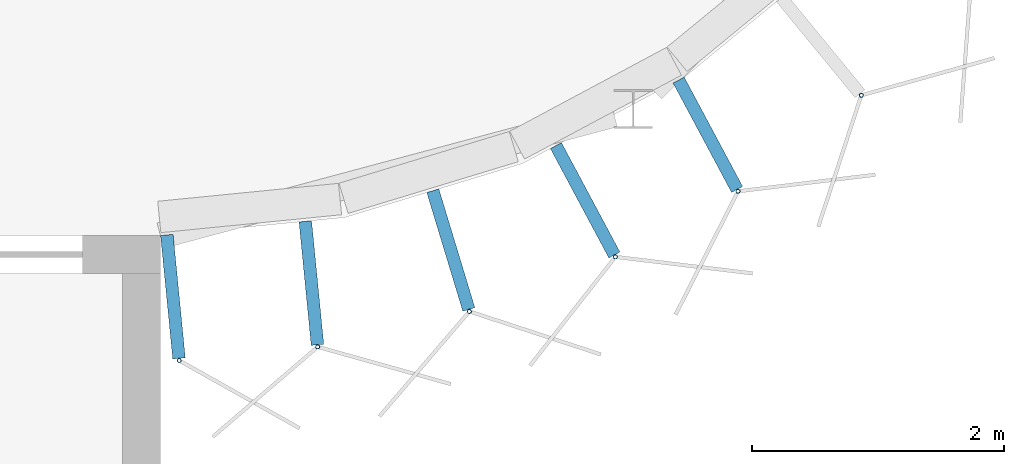
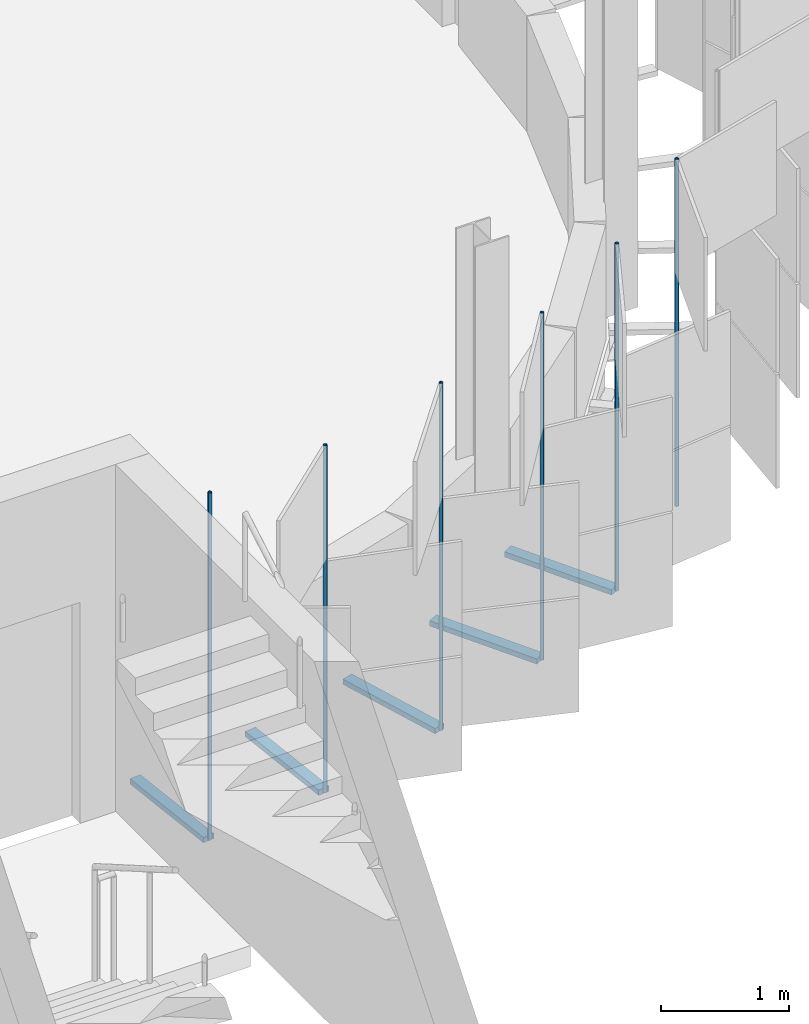
# One storey, part 88 of 198: 11 discrete accessories.
"""IFC4 building model written with IfcOpenShell, lengths in metres."""

import ifcopenshell
import ifcopenshell.guid

model = None  # the IFC model being written
_history = None  # IfcOwnerHistory: only IFC2X3 demands one
_inside = {}  # id of a spatial element -> (the spatial element, [elements in it])
_under = {}  # id of a project, library or spatial element -> (it, [spatial elements below it])
_declared = {}  # id of a project -> (the project, [libraries it declares])
_typed = {}  # id of a type object -> (the type object, [elements of that type])
_made_of = {}  # id of a material, layer set ... -> (it, [elements and type objects made of it])


def new_model(schema):
    """Start an empty IFC model of exactly this schema.

    Asked for "IFC4X3", IfcOpenShell would pick the latest addendum, in which some entities
    have other attributes; the version numbers below select the first issue.
    IFC2X3 requires an IfcOwnerHistory on every rooted entity: one is made here for all.
    """
    global model, _history
    if schema == "IFC4X3":
        model = ifcopenshell.file(schema_version=(4, 3, 0, 0))
    else:
        model = ifcopenshell.file(schema=schema)
    _inside.clear()
    _under.clear()
    _declared.clear()
    _typed.clear()
    _made_of.clear()
    _history = None
    if model.schema == "IFC2X3":
        org = make("IfcOrganization", Name="unknown")
        user = make(
            "IfcPersonAndOrganization",
            ThePerson=make("IfcPerson", FamilyName="unknown"),
            TheOrganization=org,
        )
        app = make(
            "IfcApplication",
            ApplicationDeveloper=org,
            Version="unknown",
            ApplicationFullName="unknown",
            ApplicationIdentifier="unknown",
        )
        _history = make(
            "IfcOwnerHistory",
            OwningUser=user,
            OwningApplication=app,
            ChangeAction="ADDED",
            CreationDate=0,
        )
    return model


def make(cls, **values):
    """One entity of the class cls with the attributes given. An attribute that is None is left unset."""
    return model.create_entity(
        cls, **{name: value for name, value in values.items() if value is not None}
    )


def rooted(cls, **values):
    """An entity with a GlobalId (a new one), such as an element, a storey or a relation."""
    return make(cls, GlobalId=ifcopenshell.guid.new(), OwnerHistory=_history, **values)


def si_unit(unit_type, name, prefix=None):
    """IfcSIUnit, for example si_unit("LENGTHUNIT", "METRE", prefix="MILLI")."""
    return make("IfcSIUnit", UnitType=unit_type, Prefix=prefix, Name=name)


def assignment(units):
    """IfcUnitAssignment: the units of a project."""
    return None if units is None else make("IfcUnitAssignment", Units=units)


def point(xyz):
    """IfcCartesianPoint."""
    return None if xyz is None else make("IfcCartesianPoint", Coordinates=xyz)


def direction(xyz):
    """IfcDirection."""
    return None if xyz is None else make("IfcDirection", DirectionRatios=xyz)


def frame(location, z_axis=None, x_axis=None):
    """IfcAxis2Placement3D, a coordinate frame: its origin and axes. An axis left out is left unset."""
    return make(
        "IfcAxis2Placement3D",
        Location=point(location),
        Axis=direction(z_axis),
        RefDirection=direction(x_axis),
    )


def frame_2d(location, x_axis=None):
    """IfcAxis2Placement2D, a coordinate frame in the plane: its origin and x axis."""
    return make(
        "IfcAxis2Placement2D", Location=point(location), RefDirection=direction(x_axis)
    )


def origin():
    """The frame at (0, 0, 0) with its axes left unset."""
    return frame((0.0, 0.0, 0.0))


def origin_2d():
    """The frame at (0, 0) in the plane with its x axis left unset."""
    return frame_2d((0.0, 0.0))


def place(relative_to, where):
    """IfcLocalPlacement: puts the frame where relative to a parent placement (None: the world)."""
    return make(
        "IfcLocalPlacement", PlacementRelTo=relative_to, RelativePlacement=where
    )


def context(
    kind, dimensions, precision=None, world=None, true_north=None, identifier=None
):
    """IfcGeometricRepresentationContext, for example the 3D "Model" context."""
    return make(
        "IfcGeometricRepresentationContext",
        ContextIdentifier=identifier,
        ContextType=kind,
        CoordinateSpaceDimension=dimensions,
        Precision=precision,
        WorldCoordinateSystem=world,
        TrueNorth=true_north,
    )


def subcontext(parent, identifier, kind, view, scale=None):
    """IfcGeometricRepresentationSubContext, for example "Body" below "Model"."""
    return make(
        "IfcGeometricRepresentationSubContext",
        ContextIdentifier=identifier,
        ContextType=kind,
        ParentContext=parent,
        TargetScale=scale,
        TargetView=view,
    )


def project(units=None, contexts=None):
    """IfcProject with its units and contexts."""
    return rooted(
        "IfcProject",
        Name="project",
        RepresentationContexts=contexts,
        UnitsInContext=assignment(units),
    )


def spatial(cls, under=None, at=None, **own):
    """A site, building, storey or space (cls), placed at a placement, below another one or the project."""
    s = rooted(cls, ObjectPlacement=at, **own)
    if under is not None:
        _under.setdefault(under.id(), (under, []))[1].append(s)
    return s


def profile(cls, at=None, kind="AREA", **sizes):
    """A parametric profile (cls). Its sizes go by their IFC names, for example OverallWidth=200.0."""
    return make(cls, ProfileType=kind, Position=at, **sizes)


def rectangle(**sizes):
    """IfcRectangleProfileDef."""
    return profile("IfcRectangleProfileDef", **sizes)


def hollow_circle(**sizes):
    """IfcCircleHollowProfileDef."""
    return profile("IfcCircleHollowProfileDef", **sizes)


def extrude(swept, where, along, depth):
    """IfcExtrudedAreaSolid: the profile swept, set in the frame where, extruded along a direction by depth."""
    return make(
        "IfcExtrudedAreaSolid",
        SweptArea=swept,
        Position=where,
        ExtrudedDirection=direction(along),
        Depth=depth,
    )


def shape(context_of_items, identifier, shape_type, items):
    """IfcShapeRepresentation: the items that make up one representation, for example the "Body"."""
    return make(
        "IfcShapeRepresentation",
        ContextOfItems=context_of_items,
        RepresentationIdentifier=identifier,
        RepresentationType=shape_type,
        Items=items,
    )


def material(Name=None, Category=None):
    """IfcMaterial."""
    return make("IfcMaterial", Name=Name, Category=Category)


def material_profile(
    of_material, cross_section, Name=None, Category=None, Priority=None
):
    """IfcMaterialProfile: a cross section and its material."""
    return make(
        "IfcMaterialProfile",
        Name=Name,
        Material=of_material,
        Profile=cross_section,
        Priority=Priority,
        Category=Category,
    )


def profile_set(profiles, Name=None, composite=None):
    """IfcMaterialProfileSet."""
    return make(
        "IfcMaterialProfileSet",
        Name=Name,
        MaterialProfiles=profiles,
        CompositeProfile=composite,
    )


def made_of(thing, what):
    """Note that an element or type object is made of a material, layer set ...; save() writes the relation."""
    if what is not None:
        _made_of.setdefault(what.id(), (what, []))[1].append(thing)
    return thing


def type_object(cls, material=None, **own):
    """A type object (cls), such as IfcWallType, which elements share."""
    return made_of(rooted(cls, **own), material)


def element(
    cls,
    number,
    at=None,
    inside=None,
    cuts=None,
    type_object=None,
    material=None,
    context=None,
    identifier="Body",
    shape_type=None,
    held_by="IfcProductDefinitionShape",
    body=None,
    shapes=None,
    **own,
):
    """One element of the class cls, such as IfcWall. Its Tag is "e" and its number.

    at: its placement. inside: the storey or other place that contains it. cuts: it is an
    opening in that element (IfcRelVoidsElement). A single representation is given by context,
    identifier, shape_type and body (its items); several are given by shapes. held_by: the class
    of the entity that holds the representations. save() writes the other relations.
    """
    e = rooted(cls, Tag="e%d" % number, ObjectPlacement=at, **own)
    if body is not None:
        shapes = [shape(context, identifier, shape_type, body)]
    if shapes is not None:
        e.Representation = make(held_by, Representations=shapes)
    if inside is not None:
        _inside.setdefault(inside.id(), (inside, []))[1].append(e)
    if cuts is not None:
        rooted(
            "IfcRelVoidsElement", RelatingBuildingElement=cuts, RelatedOpeningElement=e
        )
    if type_object is not None:
        _typed.setdefault(type_object.id(), (type_object, []))[1].append(e)
    return made_of(e, material)


def aggregate(whole, parts):
    """IfcRelAggregates: a whole, such as a stair, and the parts it consists of."""
    return rooted("IfcRelAggregates", RelatingObject=whole, RelatedObjects=parts)


def save(model, path):
    """Write the relations noted so far, then the file.

    IfcRelAggregates (storeys below a building ...), IfcRelContainedInSpatialStructure (elements
    in a storey), IfcRelDefinesByType, IfcRelAssociatesMaterial and IfcRelDeclares: one each for
    every whole, place, type object, material and project.
    """
    for whole, parts in _under.values():
        aggregate(whole, parts)
    for where, things in _inside.values():
        rooted(
            "IfcRelContainedInSpatialStructure",
            RelatedElements=things,
            RelatingStructure=where,
        )
    for kind, things in _typed.values():
        rooted("IfcRelDefinesByType", RelatedObjects=things, RelatingType=kind)
    for what, things in _made_of.values():
        rooted("IfcRelAssociatesMaterial", RelatedObjects=things, RelatingMaterial=what)
    for by, libraries in _declared.values():
        rooted("IfcRelDeclares", RelatingContext=by, RelatedDefinitions=libraries)
    model.write(path)


model = new_model("IFC4")

# Units and contexts
model_context = context("Model", 3, precision=1e-05, world=origin(), true_north=direction((0.0, 1.0)))
body_context = subcontext(model_context, "Body", "Model", "MODEL_VIEW")
ifc_project = project(units=[si_unit("LENGTHUNIT", "METRE"), si_unit("AREAUNIT", "SQUARE_METRE"), si_unit("VOLUMEUNIT", "CUBIC_METRE"), si_unit("PLANEANGLEUNIT", "RADIAN"), si_unit("MASSUNIT", "GRAM", prefix="KILO")], contexts=[model_context])

# Site, building, storey
site_placement = place(None, origin())
site = spatial("IfcSite", under=ifc_project, at=site_placement, CompositionType="ELEMENT")
building_placement = place(site_placement, origin())
building = spatial("IfcBuilding", under=site, at=building_placement, Name="Parallax Yard Mobility Hub", CompositionType="ELEMENT")
storey_placement = place(building_placement, frame((0.0, 0.0, 6.60009765625)))
storey = spatial("IfcBuildingStorey", under=building, at=storey_placement, Name="L02", CompositionType="ELEMENT", Elevation=6.60009765625)

# Discrete accessories
ifc_material_1 = material(Name="Steel ASTM A36, hot-dip galvanised", Category="steel")
discrete_accessory_type_1 = type_object("IfcDiscreteAccessoryType", Name="Hinge bracket plate 100x50", PredefinedType="BRACKET", material=ifc_material_1)
for number, where, z_axis, x_axis, name in (
    (1, (217.5986328125, 22.015869140625, -0.02490234375), (0.0, 0.0, 1.0), (0.09801714033, -0.995184726672, 0.0), "Hinge bracket plate bay 32.1 level L02"),
    (2, (218.697021484375, 22.123779296875, -0.02490234375), (0.0, 0.0, 1.0), (0.09801714033, -0.995184726672, 0.0), "Hinge bracket plate bay 32.2 level L02"),
    (3, (219.80322265625, 22.38525390625, -0.02490234375), (0.0, 0.0, 1.0), (0.290284677254, -0.956940335732, 0.0), "Hinge bracket plate bay 32.3 level L02"),
    (4, (220.868896484375, 22.7802734375, -0.02490234375), (0.0, 0.0, 1.0), (0.471396736826, -0.881921264348, 0.0), "Hinge bracket plate bay 32.4 level L02"),
    (5, (221.84228515625, 23.30029296875, -0.02490234375), (0.0, 0.0, 1.0), (0.471396736826, -0.881921264348, 0.0), "Hinge bracket plate bay 32.5 level L02"),
):
    element("IfcDiscreteAccessory", number, at=place(storey_placement, frame(where, z_axis=z_axis, x_axis=x_axis)), inside=storey, type_object=discrete_accessory_type_1, Name=name, PredefinedType="BRACKET", context=body_context, shape_type="SweptSolid", body=[
        extrude(rectangle(XDim=0.984130859375, YDim=0.10009765625, at=origin_2d()), origin(), (0.0, 0.0, 1.0), 0.050048828125),
    ])
ifc_material_2 = material(Name="Steel ASTM A500 Gr C, hot-dip galvanised", Category="steel")
ifc_material_profile = material_profile(ifc_material_2, hollow_circle(Radius=0.016845703125, WallThickness=0.003173828125, at=origin_2d()), Name="CHS 33.7x3.2")
ifc_profile_set = profile_set([ifc_material_profile], Name="Steel ASTM A500 Gr C, hot-dip galvanised")
discrete_accessory_type_2 = type_object("IfcDiscreteAccessoryType", Name="Hinge post CHS 33.7x3.2", PredefinedType="BRACKET", material=ifc_profile_set)
for number, where, z_axis, x_axis, name in (
    (6, (217.6484375, 21.509765625, 0.0), (0.0, 0.0, 1.0), (1.0, 0.0, 0.0), "Hinge post bay 32.1 level L02"),
    (7, (218.746826171875, 21.617919921875, 0.0), (0.0, 0.0, 1.0), (1.0, 0.0, 0.0), "Hinge post bay 32.2 level L02"),
    (8, (219.95068359375, 21.898681640625, 0.0), (0.0, 0.0, 1.0), (1.0, 0.0, 0.0), "Hinge post bay 32.3 level L02"),
    (9, (221.108642578125, 22.331787109375, 0.0), (0.0, 0.0, 1.0), (1.0, 0.0, 0.0), "Hinge post bay 32.4 level L02"),
    (10, (222.08203125, 22.85205078125, 0.0), (0.0, 0.0, 1.0), (1.0, 0.0, 0.0), "Hinge post bay 32.5 level L02"),
    (11, (223.059326171875, 23.61328125, 0.0), (0.0, 0.0, 1.0), (1.0, 0.0, 0.0), "Hinge post bay 32.6 level L02"),
):
    element("IfcDiscreteAccessory", number, at=place(storey_placement, frame(where, z_axis=z_axis, x_axis=x_axis)), inside=storey, type_object=discrete_accessory_type_2, Name=name, PredefinedType="BRACKET", context=body_context, shape_type="SweptSolid", body=[
        extrude(hollow_circle(Radius=0.016845703125, WallThickness=0.003173828125, at=origin_2d()), origin(), (0.0, 0.0, 1.0), 3.2998046875),
    ])

save(model, "model.ifc")
